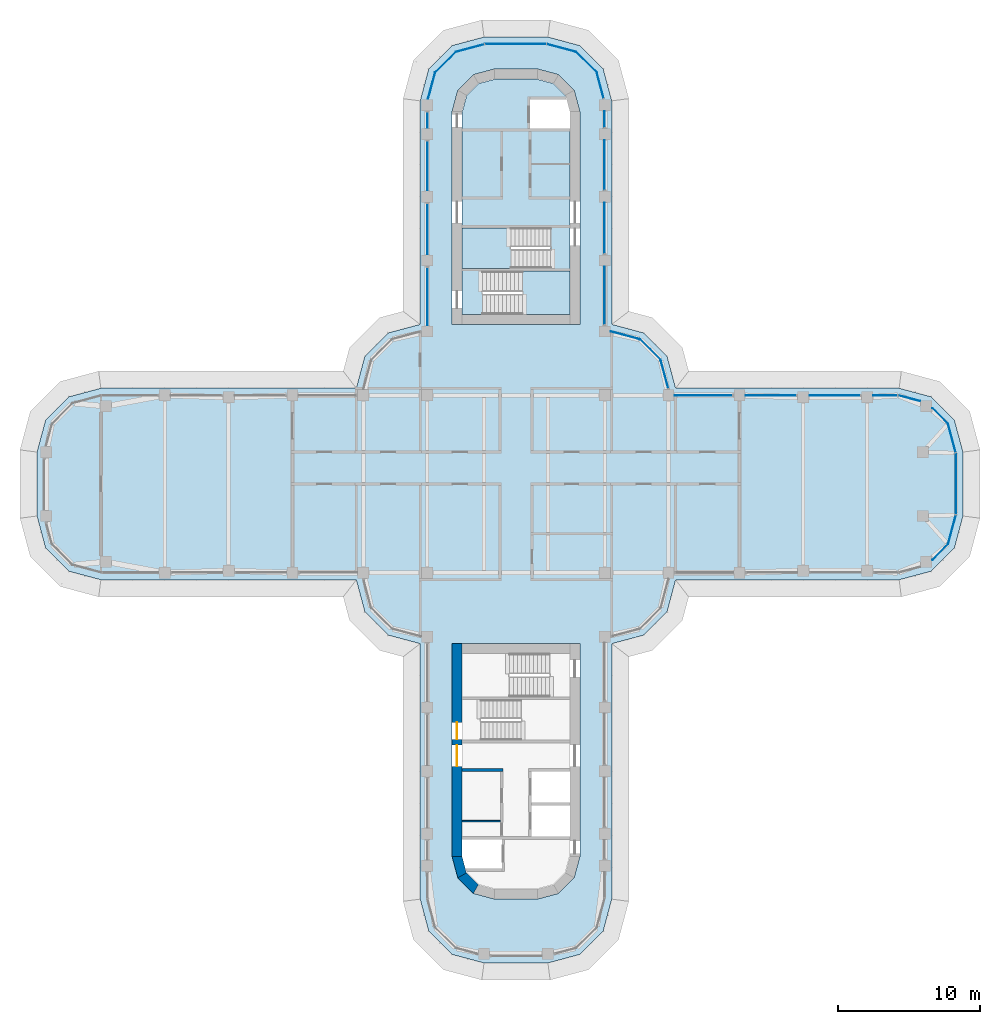
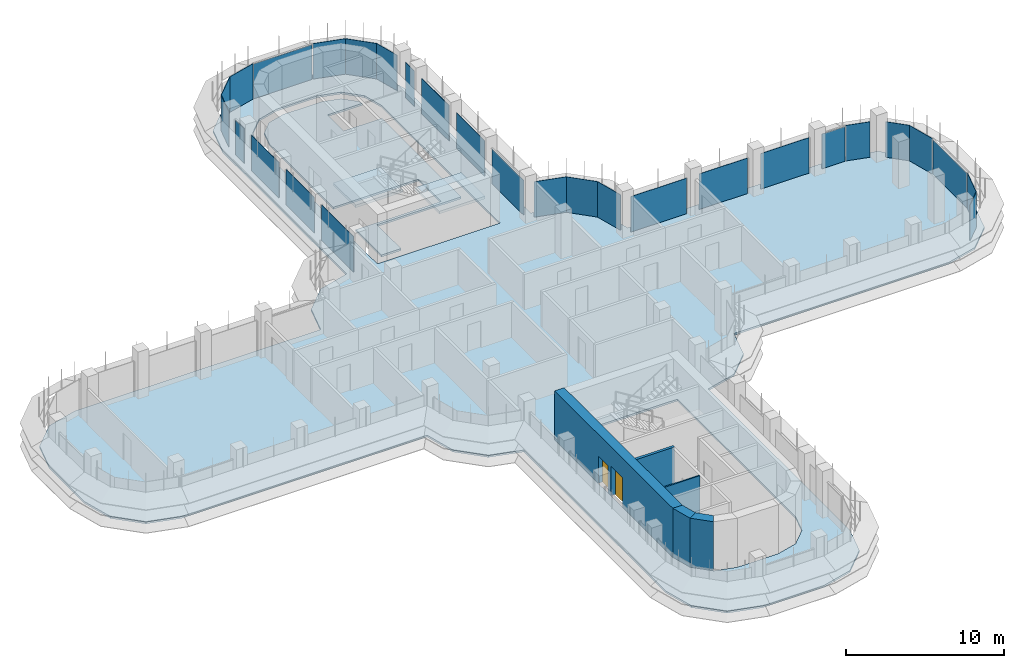
# One storey, part 13 of 20: 28 plates, 5 walls, 4 slabs, 2 doors, 2 openings, 21 elements without a shape of their own.
"""IFC4 building model written with IfcOpenShell, lengths in metres."""

from ifc_helpers import new_model, si_unit, direction, frame, frame_2d, origin, place, context, subcontext, project, spatial, polyline, rectangle, outline, extrude, source, transform, mapped, material, layer, layer_set, type_object, element, fill, aggregate, save


model = new_model("IFC4")

# Units and contexts
model_context = context("Model", 3, precision=1e-05, world=origin(), true_north=direction((0.0, 1.0)))
body_context = subcontext(model_context, "Body", "Model", "MODEL_VIEW")
ifc_project = project(units=[si_unit("LENGTHUNIT", "METRE"), si_unit("AREAUNIT", "SQUARE_METRE"), si_unit("VOLUMEUNIT", "CUBIC_METRE"), si_unit("PLANEANGLEUNIT", "RADIAN"), si_unit("MASSUNIT", "GRAM", prefix="KILO")], contexts=[model_context])

# Site, building, storey
site_placement = place(None, origin())
site = spatial("IfcSite", under=ifc_project, at=site_placement, CompositionType="ELEMENT")
building_placement = place(site_placement, origin())
building = spatial("IfcBuilding", under=site, at=building_placement, Name="Zarbagh Exchange Tower", CompositionType="ELEMENT")
storey_placement = place(building_placement, frame((0.0, 0.0, 144.800048828125)))
storey = spatial("IfcBuildingStorey", under=building, at=storey_placement, Name="L34", CompositionType="ELEMENT", Elevation=144.800048828125)

# Slabs
ifc_material_1 = material(Name="Concrete C40/50", Category="concrete")
ifc_layer_1 = layer(ifc_material_1, 0.14990234375)
ifc_layer_set_1 = layer_set([ifc_layer_1], Name="Composite floor slab 150 C40/50")
slab_type_1 = type_object("IfcSlabType", Name="Composite floor slab 150 C40/50", PredefinedType="FLOOR", material=ifc_layer_set_1)
slab_1_placement = place(storey_placement, frame((0.0, 0.0, -0.150146484375)))
element("IfcSlab", 1, at=slab_1_placement, inside=storey, type_object=slab_type_1, Name="S5 composite floor slab", PredefinedType="FLOOR", context=body_context, shape_type="SweptSolid", body=[
    extrude(outline(polyline([(-2.25, -33.75), (-4.5, -33.147216796875), (-6.147216796875, -31.5), (-6.75, -29.25), (-6.75, -11.25), (-9.0, -10.647216796875), (-10.647216796875, -9.0), (-11.25, -6.75), (-29.25, -6.75), (-31.5, -6.147216796875), (-33.147216796875, -4.5), (-33.75, -2.25), (-33.75, 2.25), (-33.147216796875, 4.5), (-31.5, 6.147216796875), (-29.25, 6.75), (-11.25, 6.75), (-10.647216796875, 9.0), (-9.0, 10.647216796875), (-6.75, 11.25), (-6.75, 27.0), (-6.147216796875, 29.25), (-4.5, 30.897216796875), (-2.25, 31.5), (2.25, 31.5), (4.5, 30.897216796875), (6.147216796875, 29.25), (6.75, 27.0), (6.75, 11.25), (9.0, 10.647216796875), (10.647216796875, 9.0), (11.25, 6.75), (27.0, 6.75), (29.25, 6.147216796875), (30.897216796875, 4.5), (31.5, 2.25), (31.5, -2.25), (30.897216796875, -4.5), (29.25, -6.147216796875), (27.0, -6.75), (11.25, -6.75), (10.647216796875, -9.0), (9.0, -10.647216796875), (6.75, -11.25), (6.75, -29.25), (6.147216796875, -31.5), (4.5, -33.147216796875), (2.25, -33.75), (-2.25, -33.75)]), holes=[polyline([(4.5, 11.25), (4.5, 26.25), (4.09814453125, 27.75), (3.0, 28.84814453125), (1.5, 29.25), (-1.5, 29.25), (-3.0, 28.84814453125), (-4.09814453125, 27.75), (-4.5, 26.25), (-4.5, 11.25), (4.5, 11.25)]), polyline([(-1.5, -29.25), (1.5, -29.25), (3.0, -28.84814453125), (4.09814453125, -27.75), (4.5, -26.25), (4.5, -11.25), (-4.5, -11.25), (-4.5, -26.25), (-4.09814453125, -27.75), (-3.0, -28.84814453125), (-1.5, -29.25)])]), origin(), (0.0, 0.0, 1.0), 0.150146484375),
])
ifc_layer_2 = layer(ifc_material_1, 0.14990234375)
ifc_layer_set_2 = layer_set([ifc_layer_2], Name="Core floor slab 150 C40/50")
slab_type_2 = type_object("IfcSlabType", Name="Core floor slab 150 C40/50", PredefinedType="FLOOR", material=ifc_layer_set_2)
slab_2_placement = place(storey_placement, frame((0.0, 0.0, -0.150146484375)))
element("IfcSlab", 2, at=slab_2_placement, inside=storey, type_object=slab_type_2, Name="S17 core N", PredefinedType="FLOOR", context=body_context, shape_type="SweptSolid", body=[
    extrude(outline(polyline([(-3.800048828125, 11.949951171875), (-3.800048828125, 15.199951171875), (2.449951171875, 15.199951171875), (2.449951171875, 18.050048828125), (-3.800048828125, 18.050048828125), (-3.800048828125, 26.15771484375), (-3.470458984375, 27.3876953125), (-2.6376953125, 28.220458984375), (-1.40771484375, 28.550048828125), (1.40771484375, 28.550048828125), (2.6376953125, 28.220458984375), (3.470458984375, 27.3876953125), (3.800048828125, 26.15771484375), (3.800048828125, 26.15771484375), (3.547607421875, 27.10009765625), (1.0, 27.10009765625), (1.0, 25.050048828125), (3.800048828125, 25.050048828125), (3.800048828125, 15.0), (-2.35009765625, 15.0), (-2.35009765625, 11.949951171875), (-3.800048828125, 11.949951171875)])), origin(), (0.0, 0.0, 1.0), 0.150146484375),
])

# Stair, slab
stair_type = type_object("IfcStairType", Name="Exit stair two-flight half-turn", PredefinedType="HALF_TURN_STAIR", material=ifc_material_1)
stair_1_placement = place(storey_placement, origin())
stair_1 = element("IfcStair", 3, at=stair_1_placement, inside=storey, type_object=stair_type, Name="exit stair ST1", PredefinedType="HALF_TURN_STAIR")
ifc_layer_3 = layer(ifc_material_1, 0.199951171875)
ifc_layer_set_3 = layer_set([ifc_layer_3], Name="Stair landing 200 mm")
slab_type_3 = type_object("IfcSlabType", Name="Stair landing 200 mm", PredefinedType="LANDING", material=ifc_layer_set_3)
slab_3_placement = place(storey_placement, frame((0.0, 0.0, 1.699951171875)))
slab_3 = element("IfcSlab", 4, at=slab_3_placement, type_object=slab_type_3, Name="ST1 landing 1", PredefinedType="LANDING", context=body_context, shape_type="SweptSolid", body=[
    extrude(outline(polyline([(-0.35009765625, 18.050048828125), (-3.800048828125, 18.050048828125), (-3.800048828125, 15.199951171875), (-0.35009765625, 15.199951171875), (-0.35009765625, 18.050048828125)])), origin(), (0.0, 0.0, 1.0), 0.199951171875),
])
aggregate(stair_1, [slab_3])

stair_2_placement = place(storey_placement, origin())
stair_2 = element("IfcStair", 5, at=stair_2_placement, inside=storey, type_object=stair_type, Name="exit stair ST2", PredefinedType="HALF_TURN_STAIR")
slab_4_placement = place(storey_placement, frame((0.0, 0.0, 1.699951171875)))
slab_4 = element("IfcSlab", 6, at=slab_4_placement, type_object=slab_type_3, Name="ST2 landing 1", PredefinedType="LANDING", context=body_context, shape_type="SweptSolid", body=[
    extrude(outline(polyline([(0.449951171875, 11.949951171875), (3.800048828125, 11.949951171875), (3.800048828125, 15.0), (0.449951171875, 15.0), (0.449951171875, 11.949951171875)])), origin(), (0.0, 0.0, 1.0), 0.199951171875),
])
aggregate(stair_2, [slab_4])

# Curtain wall, plate
ifc_material_2 = material(Name="Anodised aluminium frame and glazing", Category="aluminium")
curtain_wall_type = type_object("IfcCurtainWallType", Name="CWB Ribbon glazing, upper zones", PredefinedType="NOTDEFINED", material=ifc_material_2)
curtain_wall_1_placement = place(storey_placement, origin())
curtain_wall_1 = element("IfcCurtainWall", 7, at=curtain_wall_1_placement, inside=storey, type_object=curtain_wall_type, Name="CWB18 curtain wall", PredefinedType="NOTDEFINED")
ifc_material_3 = material(Name="Low-e double glazed unit, 6+12+6 mm")
ifc_layer_4 = layer(ifc_material_3, 0.031982421875)
ifc_layer_set_4 = layer_set([ifc_layer_4], Name="PAB Glazing panel, Low-e double glazed unit, 6+12+6 mm")
plate_type = type_object("IfcPlateType", Name="PAB Glazing panel, Low-e double glazed unit, 6+12+6 mm", PredefinedType="CURTAIN_PANEL", material=ifc_layer_set_4)
shared_shape_1 = source(origin(), body_context, "Body", "SweptSolid", [
    extrude(outline(polyline([(0.0, -0.01611328125), (2.061279296875, -0.01611328125), (2.061279296875, 0.01611328125), (0.0, 0.01611328125), (0.0, -0.01611328125)])), origin(), (0.0, 0.0, 1.0), 2.75),
])
placement = place(storey_placement, origin())
plate_1 = element("IfcPlate", 8, at=placement, type_object=plate_type, Name="CWB18 glazing panel 1.1", PredefinedType="CURTAIN_PANEL", context=body_context, shape_type="MappedRepresentation", body=[
    mapped(shared_shape_1, transform((10.19873046875, 8.7412109375, 0.0), x_axis=(-0.707106781187, 0.707106781187, 0.0), y_axis=(-0.707106781187, -0.707106781187, 0.0), z_axis=(0.0, 0.0, 1.0))),
])
aggregate(curtain_wall_1, [plate_1])

curtain_wall_2_placement = place(storey_placement, origin())
curtain_wall_2 = element("IfcCurtainWall", 9, at=curtain_wall_2_placement, inside=storey, type_object=curtain_wall_type, Name="CWB22 curtain wall", PredefinedType="NOTDEFINED")
plate_2 = element("IfcPlate", 10, at=placement, type_object=plate_type, Name="CWB22 glazing panel 1.1", PredefinedType="CURTAIN_PANEL", context=body_context, shape_type="MappedRepresentation", body=[
    mapped(shared_shape_1, transform((5.69873046875, 28.9912109375, 0.0), x_axis=(-0.707106781187, 0.707106781187, 0.0), y_axis=(-0.707106781187, -0.707106781187, 0.0), z_axis=(0.0, 0.0, 1.0))),
])
aggregate(curtain_wall_2, [plate_2])

curtain_wall_3_placement = place(storey_placement, origin())
curtain_wall_3 = element("IfcCurtainWall", 11, at=curtain_wall_3_placement, inside=storey, type_object=curtain_wall_type, Name="CWB26 curtain wall", PredefinedType="NOTDEFINED")
plate_3 = element("IfcPlate", 12, at=placement, type_object=plate_type, Name="CWB26 glazing panel 1.1", PredefinedType="CURTAIN_PANEL", context=body_context, shape_type="MappedRepresentation", body=[
    mapped(shared_shape_1, transform((-4.2412109375, 30.44873046875, 0.0), x_axis=(-0.707106781187, -0.707106781187, 0.0), y_axis=(0.707106781187, -0.707106781187, 0.0), z_axis=(0.0, 0.0, 1.0))),
])
aggregate(curtain_wall_3, [plate_3])

curtain_wall_4_placement = place(storey_placement, origin())
curtain_wall_4 = element("IfcCurtainWall", 13, at=curtain_wall_4_placement, inside=storey, type_object=curtain_wall_type, Name="CWB11 curtain wall", PredefinedType="NOTDEFINED")
shared_shape_2 = source(origin(), body_context, "Body", "SweptSolid", [
    extrude(outline(polyline([(0.0, -0.01611328125), (2.129638671875, -0.01611328125), (2.129638671875, 0.01611328125), (0.0, 0.01611328125), (0.0, -0.01611328125)])), origin(), (0.0, 0.0, 1.0), 2.75),
])
plate_4 = element("IfcPlate", 14, at=placement, type_object=plate_type, Name="CWB11 glazing panel 1.1", PredefinedType="CURTAIN_PANEL", context=body_context, shape_type="MappedRepresentation", body=[
    mapped(shared_shape_2, transform((30.44873046875, -4.2412109375, 0.0), x_axis=(0.258824779902, 0.965924289636, 0.0), y_axis=(-0.965924289636, 0.258824779902, 0.0), z_axis=(0.0, 0.0, 1.0))),
])
aggregate(curtain_wall_4, [plate_4])

curtain_wall_5_placement = place(storey_placement, origin())
curtain_wall_5 = element("IfcCurtainWall", 15, at=curtain_wall_5_placement, inside=storey, type_object=curtain_wall_type, Name="CWB23 curtain wall", PredefinedType="NOTDEFINED")
plate_5 = element("IfcPlate", 16, at=placement, type_object=plate_type, Name="CWB23 glazing panel 1.1", PredefinedType="CURTAIN_PANEL", context=body_context, shape_type="MappedRepresentation", body=[
    mapped(shared_shape_2, transform((4.2412109375, 30.44873046875, 0.0), x_axis=(-0.965924289636, 0.258824779902, 0.0), y_axis=(-0.258824779902, -0.965924289636, 0.0), z_axis=(0.0, 0.0, 1.0))),
])
aggregate(curtain_wall_5, [plate_5])

curtain_wall_6_placement = place(storey_placement, origin())
curtain_wall_6 = element("IfcCurtainWall", 17, at=curtain_wall_6_placement, inside=storey, type_object=curtain_wall_type, Name="CWB20 curtain wall", PredefinedType="NOTDEFINED")
shared_shape_3 = source(origin(), body_context, "Body", "SweptSolid", [
    extrude(outline(polyline([(0.0, -0.01611328125), (3.4599609375, -0.01611328125), (3.4599609375, 0.01611328125), (0.0, 0.01611328125), (0.0, -0.01611328125)])), origin(), (0.0, 0.0, 1.0), 2.75),
])
plate_6 = element("IfcPlate", 18, at=placement, type_object=plate_type, Name="CWB20 glazing panel 3.1", PredefinedType="CURTAIN_PANEL", context=body_context, shape_type="MappedRepresentation", body=[
    mapped(shared_shape_3, transform((6.25, 20.75, 0.0), x_axis=(0.0, 1.0, 0.0), y_axis=(-1.0, 0.0, 0.0), z_axis=(0.0, 0.0, 1.0))),
])

curtain_wall_7_placement = place(storey_placement, origin())
curtain_wall_7 = element("IfcCurtainWall", 19, at=curtain_wall_7_placement, inside=storey, type_object=curtain_wall_type, Name="CWB28 curtain wall", PredefinedType="NOTDEFINED")
plate_7 = element("IfcPlate", 20, at=placement, type_object=plate_type, Name="CWB28 glazing panel 2.1", PredefinedType="CURTAIN_PANEL", context=body_context, shape_type="MappedRepresentation", body=[
    mapped(shared_shape_3, transform((-6.25, 24.14990234375, 0.0), x_axis=(0.0, -1.0, 0.0), y_axis=(1.0, 0.0, 0.0), z_axis=(0.0, 0.0, 1.0))),
])

# Curtain wall, plates
curtain_wall_8_placement = place(storey_placement, origin())
curtain_wall_8 = element("IfcCurtainWall", 21, at=curtain_wall_8_placement, inside=storey, type_object=curtain_wall_type, Name="CWB16 curtain wall", PredefinedType="NOTDEFINED")
shared_shape_4 = source(origin(), body_context, "Body", "SweptSolid", [
    extrude(outline(polyline([(0.0, -0.01611328125), (3.56005859375, -0.01611328125), (3.56005859375, 0.01611328125), (0.0, 0.01611328125), (0.0, -0.01611328125)])), origin(), (0.0, 0.0, 1.0), 2.75),
])
plate_8 = element("IfcPlate", 22, at=placement, type_object=plate_type, Name="CWB16 glazing panel 2.1", PredefinedType="CURTAIN_PANEL", context=body_context, shape_type="MappedRepresentation", body=[
    mapped(shared_shape_4, transform((24.25, 6.25, 0.0), x_axis=(-1.0, 0.0, 0.0), y_axis=(0.0, -1.0, 0.0), z_axis=(0.0, 0.0, 1.0))),
])
plate_9 = element("IfcPlate", 23, at=placement, type_object=plate_type, Name="CWB16 glazing panel 3.1", PredefinedType="CURTAIN_PANEL", context=body_context, shape_type="MappedRepresentation", body=[
    mapped(shared_shape_4, transform((19.75, 6.25, 0.0), x_axis=(-1.0, 0.0, 0.0), y_axis=(0.0, -1.0, 0.0), z_axis=(0.0, 0.0, 1.0))),
])

# Plate
plate_10 = element("IfcPlate", 24, at=placement, type_object=plate_type, Name="CWB20 glazing panel 2.1", PredefinedType="CURTAIN_PANEL", context=body_context, shape_type="MappedRepresentation", body=[
    mapped(shared_shape_4, transform((6.25, 16.25, 0.0), x_axis=(0.0, 1.0, 0.0), y_axis=(-1.0, 0.0, 0.0), z_axis=(0.0, 0.0, 1.0))),
])

plate_11 = element("IfcPlate", 25, at=placement, type_object=plate_type, Name="CWB28 glazing panel 3.1", PredefinedType="CURTAIN_PANEL", context=body_context, shape_type="MappedRepresentation", body=[
    mapped(shared_shape_4, transform((-6.25, 19.75, 0.0), x_axis=(0.0, -1.0, 0.0), y_axis=(1.0, 0.0, 0.0), z_axis=(0.0, 0.0, 1.0))),
])

shared_shape_5 = source(origin(), body_context, "Body", "SweptSolid", [
    extrude(outline(polyline([(0.0, -0.01611328125), (4.06005859375, -0.01611328125), (4.06005859375, 0.01611328125), (0.0, 0.01611328125), (0.0, -0.01611328125)])), origin(), (0.0, 0.0, 1.0), 2.75),
])
plate_12 = element("IfcPlate", 26, at=placement, type_object=plate_type, Name="CWB16 glazing panel 4.1", PredefinedType="CURTAIN_PANEL", context=body_context, shape_type="MappedRepresentation", body=[
    mapped(shared_shape_5, transform((15.25, 6.25, 0.0), x_axis=(-1.0, 0.0, 0.0), y_axis=(0.0, -1.0, 0.0), z_axis=(0.0, 0.0, 1.0))),
])

plate_13 = element("IfcPlate", 27, at=placement, type_object=plate_type, Name="CWB28 glazing panel 4.1", PredefinedType="CURTAIN_PANEL", context=body_context, shape_type="MappedRepresentation", body=[
    mapped(shared_shape_5, transform((-6.25, 15.25, 0.0), x_axis=(0.0, -1.0, 0.0), y_axis=(1.0, 0.0, 0.0), z_axis=(0.0, 0.0, 1.0))),
])

# Curtain wall, plate
curtain_wall_9_placement = place(storey_placement, origin())
curtain_wall_9 = element("IfcCurtainWall", 28, at=curtain_wall_9_placement, inside=storey, type_object=curtain_wall_type, Name="CWB17 curtain wall", PredefinedType="NOTDEFINED")
shared_shape_6 = source(origin(), body_context, "Body", "SweptSolid", [
    extrude(outline(polyline([(0.0, -0.01611328125), (2.063720703125, -0.01611328125), (2.063720703125, 0.01611328125), (0.0, 0.01611328125), (0.0, -0.01611328125)])), origin(), (0.0, 0.0, 1.0), 2.75),
])
plate_14 = element("IfcPlate", 29, at=placement, type_object=plate_type, Name="CWB17 glazing panel 1.1", PredefinedType="CURTAIN_PANEL", context=body_context, shape_type="MappedRepresentation", body=[
    mapped(shared_shape_6, transform((10.73291015625, 6.748046875, 0.0), x_axis=(-0.258824779902, 0.965924289636, 0.0), y_axis=(-0.965924289636, -0.258824779902, 0.0), z_axis=(0.0, 0.0, 1.0))),
])
aggregate(curtain_wall_9, [plate_14])

curtain_wall_10_placement = place(storey_placement, origin())
curtain_wall_10 = element("IfcCurtainWall", 30, at=curtain_wall_10_placement, inside=storey, type_object=curtain_wall_type, Name="CWB19 curtain wall", PredefinedType="NOTDEFINED")
shared_shape_7 = source(origin(), body_context, "Body", "SweptSolid", [
    extrude(outline(polyline([(0.0, -0.01611328125), (2.12353515625, -0.01611328125), (2.12353515625, 0.01611328125), (0.0, 0.01611328125), (0.0, -0.01611328125)])), origin(), (0.0, 0.0, 1.0), 2.75),
])
plate_15 = element("IfcPlate", 31, at=placement, type_object=plate_type, Name="CWB19 glazing panel 1.1", PredefinedType="CURTAIN_PANEL", context=body_context, shape_type="MappedRepresentation", body=[
    mapped(shared_shape_7, transform((8.7412109375, 10.19873046875, 0.0), x_axis=(-0.965924289636, 0.258824779902, 0.0), y_axis=(-0.258824779902, -0.965924289636, 0.0), z_axis=(0.0, 0.0, 1.0))),
])
aggregate(curtain_wall_10, [plate_15])

# Plate
shared_shape_8 = source(origin(), body_context, "Body", "SweptSolid", [
    extrude(outline(polyline([(0.0, -0.01611328125), (4.06005859375, -0.01611328125), (4.06005859375, 0.01611328125), (0.0, 0.01611328125), (0.0, -0.01611328125)])), origin(), (0.0, 0.0, 1.0), 2.68994140625),
])
plate_16 = element("IfcPlate", 32, at=placement, type_object=plate_type, Name="CWB20 glazing panel 1.1", PredefinedType="CURTAIN_PANEL", context=body_context, shape_type="MappedRepresentation", body=[
    mapped(shared_shape_8, transform((6.25, 11.25, 0.0), x_axis=(0.0, 1.0, 0.0), y_axis=(-1.0, 0.0, 0.0), z_axis=(0.0, 0.0, 1.0))),
])

# Curtain wall, plate
curtain_wall_11_placement = place(storey_placement, origin())
curtain_wall_11 = element("IfcCurtainWall", 33, at=curtain_wall_11_placement, inside=storey, type_object=curtain_wall_type, Name="CWB10 curtain wall", PredefinedType="NOTDEFINED")
shared_shape_9 = source(origin(), body_context, "Body", "SweptSolid", [
    extrude(outline(polyline([(0.0, -0.01611328125), (1.556884765625, -0.01611328125), (1.556884765625, 0.01611328125), (0.0, 0.01611328125), (0.0, -0.01611328125)])), origin(), (0.0, 0.0, 1.0), 2.75),
])
plate_17 = element("IfcPlate", 34, at=placement, type_object=plate_type, Name="CWB10 glazing panel 1.1", PredefinedType="CURTAIN_PANEL", context=body_context, shape_type="MappedRepresentation", body=[
    mapped(shared_shape_9, transform((29.347900390625, -5.342041015625, 0.0), x_axis=(0.707106781187, 0.707106781187, 0.0), y_axis=(-0.707106781187, 0.707106781187, 0.0), z_axis=(0.0, 0.0, 1.0))),
])
aggregate(curtain_wall_11, [plate_17])

curtain_wall_12_placement = place(storey_placement, origin())
curtain_wall_12 = element("IfcCurtainWall", 35, at=curtain_wall_12_placement, inside=storey, type_object=curtain_wall_type, Name="CWB14 curtain wall", PredefinedType="NOTDEFINED")
plate_18 = element("IfcPlate", 36, at=placement, type_object=plate_type, Name="CWB14 glazing panel 1.1", PredefinedType="CURTAIN_PANEL", context=body_context, shape_type="MappedRepresentation", body=[
    mapped(shared_shape_9, transform((30.44873046875, 4.2412109375, 0.0), x_axis=(-0.707106781187, 0.707106781187, 0.0), y_axis=(-0.707106781187, -0.707106781187, 0.0), z_axis=(0.0, 0.0, 1.0))),
])
aggregate(curtain_wall_12, [plate_18])

curtain_wall_13_placement = place(storey_placement, origin())
curtain_wall_13 = element("IfcCurtainWall", 37, at=curtain_wall_13_placement, inside=storey, type_object=curtain_wall_type, Name="CWB12 curtain wall", PredefinedType="NOTDEFINED")
shared_shape_10 = source(origin(), body_context, "Body", "SweptSolid", [
    extrude(outline(polyline([(0.0, -0.01611328125), (4.308349609375, -0.01611328125), (4.308349609375, 0.01611328125), (0.0, 0.01611328125), (0.0, -0.01611328125)])), origin(), (0.0, 0.0, 1.0), 2.68994140625),
])
plate_19 = element("IfcPlate", 38, at=placement, type_object=plate_type, Name="CWB12 glazing panel 1.1", PredefinedType="CURTAIN_PANEL", context=body_context, shape_type="MappedRepresentation", body=[
    mapped(shared_shape_10, transform((31.0, -2.124267578125, 0.0), x_axis=(0.0, 1.0, 0.0), y_axis=(-1.0, 0.0, 0.0), z_axis=(0.0, 0.0, 1.0))),
])
aggregate(curtain_wall_13, [plate_19])

curtain_wall_14_placement = place(storey_placement, origin())
curtain_wall_14 = element("IfcCurtainWall", 39, at=curtain_wall_14_placement, inside=storey, type_object=curtain_wall_type, Name="CWB24 curtain wall", PredefinedType="NOTDEFINED")
plate_20 = element("IfcPlate", 40, at=placement, type_object=plate_type, Name="CWB24 glazing panel 1.1", PredefinedType="CURTAIN_PANEL", context=body_context, shape_type="MappedRepresentation", body=[
    mapped(shared_shape_10, transform((2.124267578125, 31.0, 0.0), x_axis=(-1.0, 0.0, 0.0), y_axis=(0.0, -1.0, 0.0), z_axis=(0.0, 0.0, 1.0))),
])
aggregate(curtain_wall_14, [plate_20])

curtain_wall_15_placement = place(storey_placement, origin())
curtain_wall_15 = element("IfcCurtainWall", 41, at=curtain_wall_15_placement, inside=storey, type_object=curtain_wall_type, Name="CWB13 curtain wall", PredefinedType="NOTDEFINED")
shared_shape_11 = source(origin(), body_context, "Body", "SweptSolid", [
    extrude(outline(polyline([(0.0, -0.01611328125), (2.069580078125, -0.01611328125), (2.069580078125, 0.01611328125), (0.0, 0.01611328125), (0.0, -0.01611328125)])), origin(), (0.0, 0.0, 1.0), 2.75),
])
plate_21 = element("IfcPlate", 42, at=placement, type_object=plate_type, Name="CWB13 glazing panel 1.1", PredefinedType="CURTAIN_PANEL", context=body_context, shape_type="MappedRepresentation", body=[
    mapped(shared_shape_11, transform((30.984375, 2.2421875, 0.0), x_axis=(-0.258824779902, 0.965924289636, 0.0), y_axis=(-0.965924289636, -0.258824779902, 0.0), z_axis=(0.0, 0.0, 1.0))),
])
aggregate(curtain_wall_15, [plate_21])

curtain_wall_16_placement = place(storey_placement, origin())
curtain_wall_16 = element("IfcCurtainWall", 43, at=curtain_wall_16_placement, inside=storey, type_object=curtain_wall_type, Name="CWB25 curtain wall", PredefinedType="NOTDEFINED")
plate_22 = element("IfcPlate", 44, at=placement, type_object=plate_type, Name="CWB25 glazing panel 1.1", PredefinedType="CURTAIN_PANEL", context=body_context, shape_type="MappedRepresentation", body=[
    mapped(shared_shape_11, transform((-2.2421875, 30.984375, 0.0), x_axis=(-0.965924289636, -0.258824779902, 0.0), y_axis=(0.258824779902, -0.965924289636, 0.0), z_axis=(0.0, 0.0, 1.0))),
])
aggregate(curtain_wall_16, [plate_22])

curtain_wall_17_placement = place(storey_placement, origin())
curtain_wall_17 = element("IfcCurtainWall", 45, at=curtain_wall_17_placement, inside=storey, type_object=curtain_wall_type, Name="CWB15 curtain wall", PredefinedType="NOTDEFINED")
shared_shape_12 = source(origin(), body_context, "Body", "SweptSolid", [
    extrude(outline(polyline([(0.0, -0.01611328125), (1.587890625, -0.01611328125), (1.587890625, 0.01611328125), (0.0, 0.01611328125), (0.0, -0.01611328125)])), origin(), (0.0, 0.0, 1.0), 2.75),
])
plate_23 = element("IfcPlate", 46, at=placement, type_object=plate_type, Name="CWB15 glazing panel 1.1", PredefinedType="CURTAIN_PANEL", context=body_context, shape_type="MappedRepresentation", body=[
    mapped(shared_shape_12, transform((28.468017578125, 5.839111328125, 0.0), x_axis=(-0.965924289636, 0.258824779902, 0.0), y_axis=(-0.258824779902, -0.965924289636, 0.0), z_axis=(0.0, 0.0, 1.0))),
])
aggregate(curtain_wall_17, [plate_23])

# Plate
shared_shape_13 = source(origin(), body_context, "Body", "SweptSolid", [
    extrude(outline(polyline([(0.0, -0.01611328125), (1.68408203125, -0.01611328125), (1.68408203125, 0.01611328125), (0.0, 0.01611328125), (0.0, -0.01611328125)])), origin(), (0.0, 0.0, 1.0), 2.68994140625),
])
plate_24 = element("IfcPlate", 47, at=placement, type_object=plate_type, Name="CWB16 glazing panel 1.1", PredefinedType="CURTAIN_PANEL", context=body_context, shape_type="MappedRepresentation", body=[
    mapped(shared_shape_13, transform((26.874267578125, 6.25, 0.0), x_axis=(-1.0, 0.0, 0.0), y_axis=(0.0, -1.0, 0.0), z_axis=(0.0, 0.0, 1.0))),
])

aggregate(curtain_wall_8, [plate_24, plate_8, plate_9, plate_12])

shared_shape_14 = source(origin(), body_context, "Body", "SweptSolid", [
    extrude(outline(polyline([(0.0, -0.01611328125), (1.110107421875, -0.01611328125), (1.110107421875, 0.01611328125), (0.0, 0.01611328125), (0.0, -0.01611328125)])), origin(), (0.0, 0.0, 1.0), 2.75),
])
plate_25 = element("IfcPlate", 48, at=placement, type_object=plate_type, Name="CWB20 glazing panel 4.1", PredefinedType="CURTAIN_PANEL", context=body_context, shape_type="MappedRepresentation", body=[
    mapped(shared_shape_14, transform((6.25, 25.150146484375, 0.0), x_axis=(0.0, 1.0, 0.0), y_axis=(-1.0, 0.0, 0.0), z_axis=(0.0, 0.0, 1.0))),
])

aggregate(curtain_wall_6, [plate_16, plate_10, plate_6, plate_25])

# Curtain wall, plate
curtain_wall_18_placement = place(storey_placement, origin())
curtain_wall_18 = element("IfcCurtainWall", 49, at=curtain_wall_18_placement, inside=storey, type_object=curtain_wall_type, Name="CWB21 curtain wall", PredefinedType="NOTDEFINED")
shared_shape_15 = source(origin(), body_context, "Body", "SweptSolid", [
    extrude(outline(polyline([(0.0, -0.01611328125), (1.8564453125, -0.01611328125), (1.8564453125, 0.01611328125), (0.0, 0.01611328125), (0.0, -0.01611328125)])), origin(), (0.0, 0.0, 1.0), 2.75),
])
plate_26 = element("IfcPlate", 50, at=placement, type_object=plate_type, Name="CWB21 glazing panel 1.1", PredefinedType="CURTAIN_PANEL", context=body_context, shape_type="MappedRepresentation", body=[
    mapped(shared_shape_15, transform((6.17919921875, 27.197998046875, 0.0), x_axis=(-0.258824779902, 0.965924289636, 0.0), y_axis=(-0.965924289636, -0.258824779902, 0.0), z_axis=(0.0, 0.0, 1.0))),
])
aggregate(curtain_wall_18, [plate_26])

curtain_wall_19_placement = place(storey_placement, origin())
curtain_wall_19 = element("IfcCurtainWall", 51, at=curtain_wall_19_placement, inside=storey, type_object=curtain_wall_type, Name="CWB27 curtain wall", PredefinedType="NOTDEFINED")
shared_shape_16 = source(origin(), body_context, "Body", "SweptSolid", [
    extrude(outline(polyline([(0.0, -0.01611328125), (1.91650390625, -0.01611328125), (1.91650390625, 0.01611328125), (0.0, 0.01611328125), (0.0, -0.01611328125)])), origin(), (0.0, 0.0, 1.0), 2.75),
])
plate_27 = element("IfcPlate", 52, at=placement, type_object=plate_type, Name="CWB27 glazing panel 1.1", PredefinedType="CURTAIN_PANEL", context=body_context, shape_type="MappedRepresentation", body=[
    mapped(shared_shape_16, transform((-5.69873046875, 28.9912109375, 0.0), x_axis=(-0.258824779902, -0.965924289636, 0.0), y_axis=(0.965924289636, -0.258824779902, 0.0), z_axis=(0.0, 0.0, 1.0))),
])
aggregate(curtain_wall_19, [plate_27])

# Plate
shared_shape_17 = source(origin(), body_context, "Body", "SweptSolid", [
    extrude(outline(polyline([(0.0, -0.01611328125), (1.110107421875, -0.01611328125), (1.110107421875, 0.01611328125), (0.0, 0.01611328125), (0.0, -0.01611328125)])), origin(), (0.0, 0.0, 1.0), 2.68994140625),
])
plate_28 = element("IfcPlate", 53, at=placement, type_object=plate_type, Name="CWB28 glazing panel 1.1", PredefinedType="CURTAIN_PANEL", context=body_context, shape_type="MappedRepresentation", body=[
    mapped(shared_shape_17, transform((-6.25, 26.199951171875, 0.0), x_axis=(0.0, -1.0, 0.0), y_axis=(1.0, 0.0, 0.0), z_axis=(0.0, 0.0, 1.0))),
])

aggregate(curtain_wall_7, [plate_28, plate_7, plate_11, plate_13])

# Walls
ifc_material_4 = material(Name="Dense blockwork", Category="masonry")
ifc_layer_5 = layer(ifc_material_4, 0.10009765625)
ifc_layer_set_5 = layer_set([ifc_layer_5], Name="Core partition 100 mm blockwork")
wall_type_1 = type_object("IfcWallType", Name="Core partition 100 mm blockwork", PredefinedType="PARTITIONING", material=ifc_layer_set_5)
wall_1_placement = place(storey_placement, frame((-1.10009765625, -23.75, 0.0), z_axis=(0.0, 0.0, 1.0), x_axis=(-1.0, 0.0, 0.0)))
element("IfcWall", 54, at=wall_1_placement, inside=storey, type_object=wall_type_1, Name="South core partition wall CUT-E-460", PredefinedType="PARTITIONING", context=body_context, shape_type="SweptSolid", body=[
    extrude(rectangle(XDim=2.699951171875, YDim=0.10009765625, at=frame_2d((1.35009765625, 0.0))), origin(), (0.0, 0.0, 1.0), 3.64990234375),
])
ifc_material_5 = material(Name="Concrete C50/60", Category="concrete")
ifc_layer_6 = layer(ifc_material_5, 0.699951171875)
ifc_layer_set_6 = layer_set([ifc_layer_6], Name="RC core corner wall 700 C50/60")
wall_type_2 = type_object("IfcWallType", Name="RC core corner wall 700 C50/60", PredefinedType="SHEAR", material=ifc_layer_set_6)
wall_2_placement = place(storey_placement, origin())
element("IfcWall", 55, at=wall_2_placement, inside=storey, type_object=wall_type_2, Name="CW6 core S corner W", PredefinedType="SHEAR", context=body_context, shape_type="SweptSolid", body=[
    extrude(outline(polyline([(-4.5, -26.25), (-4.09814453125, -27.75), (-3.491943359375, -27.39990234375), (-3.800048828125, -26.25), (-4.5, -26.25)])), origin(), (0.0, 0.0, 1.0), 3.800048828125),
])
wall_3_placement = place(storey_placement, origin())
element("IfcWall", 56, at=wall_3_placement, inside=storey, type_object=wall_type_2, Name="CW6 core S corner W", PredefinedType="SHEAR", context=body_context, shape_type="SweptSolid", body=[
    extrude(outline(polyline([(-4.09814453125, -27.75), (-3.0, -28.84814453125), (-2.64990234375, -28.241943359375), (-3.491943359375, -27.39990234375), (-4.09814453125, -27.75)])), origin(), (0.0, 0.0, 1.0), 3.800048828125),
])

# Wall, openings, doors
ifc_layer_7 = layer(ifc_material_5, 0.699951171875)
ifc_layer_set_7 = layer_set([ifc_layer_7], Name="RC core wall 700 C50/60")
wall_type_3 = type_object("IfcWallType", Name="RC core wall 700 C50/60", PredefinedType="SHEAR", material=ifc_layer_set_7)
wall_4_placement = place(storey_placement, frame((-4.14990234375, -11.25, 0.0), z_axis=(0.0, 0.0, 1.0), x_axis=(0.0, -1.0, 0.0)))
wall_4 = element("IfcWall", 57, at=wall_4_placement, inside=storey, type_object=wall_type_3, Name="CW5 core S W", PredefinedType="SHEAR", context=body_context, shape_type="SweptSolid", body=[
    extrude(rectangle(XDim=15.0, YDim=0.699951171875, at=frame_2d((7.5, 0.0))), origin(), (0.0, 0.0, 1.0), 3.800048828125),
])
opening_1_placement = place(wall_4_placement, frame((7.14990234375, 0.0, 0.0)))
opening_1 = element("IfcOpeningElement", 58, at=opening_1_placement, cuts=wall_4, Name="Opening CD1-1500", PredefinedType="OPENING", context=body_context, shape_type="SweptSolid", body=[
    extrude(rectangle(XDim=1.5, YDim=2.300048828125, at=frame_2d((0.75, 1.14990234375))), frame((0.0, 0.35986328125, 0.0), z_axis=(0.0, -1.0, 0.0), x_axis=(1.0, 0.0, 0.0)), (0.0, 0.0, 1.0), 0.719970703125),
])
opening_2_placement = place(wall_4_placement, frame((5.550048828125, 0.0, 0.0)))
opening_2 = element("IfcOpeningElement", 59, at=opening_2_placement, cuts=wall_4, Name="Opening SD1-1200", PredefinedType="OPENING", context=body_context, shape_type="SweptSolid", body=[
    extrude(rectangle(XDim=1.199951171875, YDim=2.10009765625, at=frame_2d((0.60009765625, 1.050048828125))), frame((0.0, 0.35986328125, 0.0), z_axis=(0.0, -1.0, 0.0), x_axis=(1.0, 0.0, 0.0)), (0.0, 0.0, 1.0), 0.719970703125),
])
ifc_material_6 = material(Name="Steel", Category="steel")
door_type_1 = type_object("IfcDoorType", Name="Exit stair door 1200 x 2100", OperationType="NOTDEFINED", PredefinedType="DOOR", material=ifc_material_6)
door_1_placement = place(opening_2_placement, origin())
door_1 = element("IfcDoor", 60, at=door_1_placement, inside=storey, type_object=door_type_1, Name="South core stair door ST1", OperationType="SINGLE_SWING_LEFT", OverallHeight=2.10009765625, OverallWidth=1.199951171875, PredefinedType="DOOR", context=body_context, shape_type="SweptSolid", body=[
    extrude(rectangle(XDim=1.199951171875, YDim=2.10009765625, at=frame_2d((0.60009765625, 1.050048828125))), frame((0.0, 0.02490234375, 0.0), z_axis=(0.0, -1.0, 0.0), x_axis=(1.0, 0.0, 0.0)), (0.0, 0.0, 1.0), 0.050048828125),
])
fill(opening_2, door_1)
door_type_2 = type_object("IfcDoorType", Name="Lift lobby double door 1500 x 2300", OperationType="NOTDEFINED", PredefinedType="DOOR", material=ifc_material_6)
door_2_placement = place(opening_1_placement, origin())
door_2 = element("IfcDoor", 61, at=door_2_placement, inside=storey, type_object=door_type_2, Name="South core lift lobby door LOBBY-E", OperationType="DOUBLE_DOOR_SINGLE_SWING", OverallHeight=2.300048828125, OverallWidth=1.5, PredefinedType="DOOR", context=body_context, shape_type="SweptSolid", body=[
    extrude(rectangle(XDim=1.5, YDim=2.300048828125, at=frame_2d((0.75, 1.14990234375))), frame((0.0, 0.02490234375, 0.0), z_axis=(0.0, -1.0, 0.0), x_axis=(1.0, 0.0, 0.0)), (0.0, 0.0, 1.0), 0.050048828125),
])
fill(opening_1, door_2)

# Wall
ifc_layer_8 = layer(ifc_material_4, 0.199951171875)
ifc_layer_set_8 = layer_set([ifc_layer_8], Name="Shaft wall 200 mm blockwork")
wall_type_4 = type_object("IfcWallType", Name="Shaft wall 200 mm blockwork", PredefinedType="PARTITIONING", material=ifc_layer_set_8)
wall_5_placement = place(storey_placement, frame((-0.89990234375, -20.14990234375, 0.0), z_axis=(0.0, 0.0, 1.0), x_axis=(-1.0, 0.0, 0.0)))
element("IfcWall", 62, at=wall_5_placement, inside=storey, type_object=wall_type_4, Name="South core shaft wall AB-E", PredefinedType="PARTITIONING", context=body_context, shape_type="SweptSolid", body=[
    extrude(rectangle(XDim=2.900146484375, YDim=0.199951171875, at=frame_2d((1.4501953125, 0.0))), origin(), (0.0, 0.0, 1.0), 3.64990234375),
])

save(model, "model.ifc")
